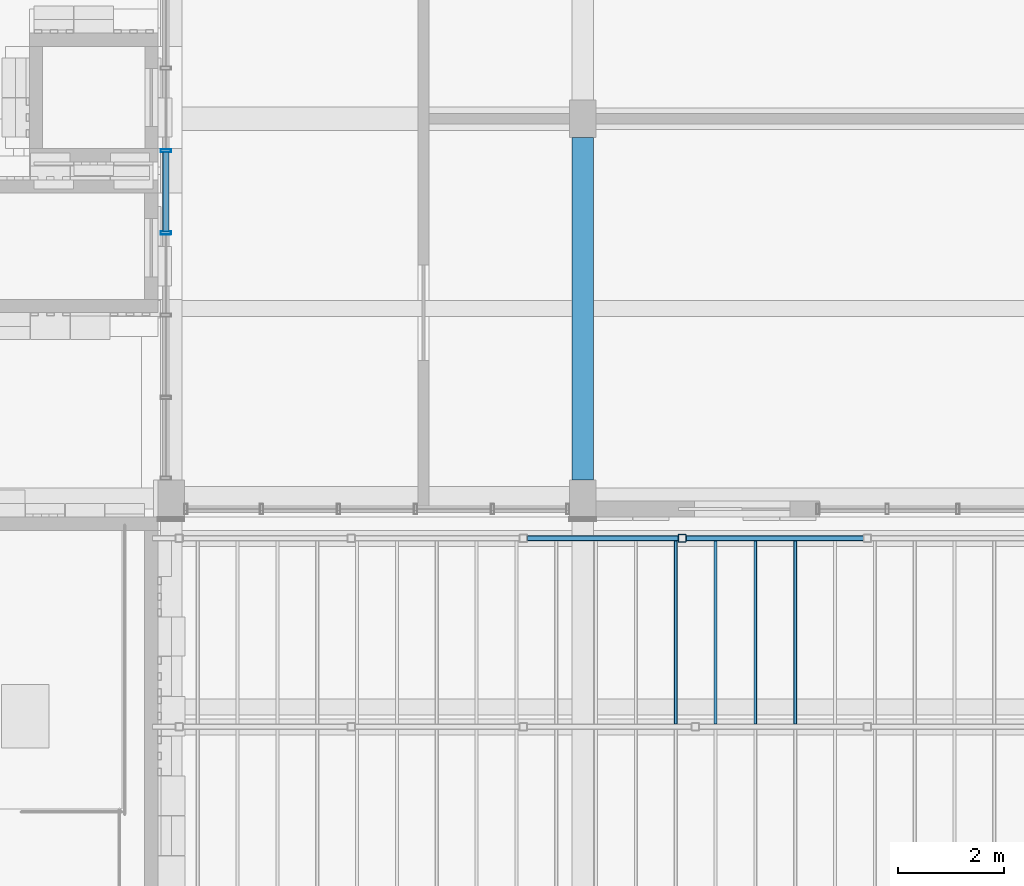
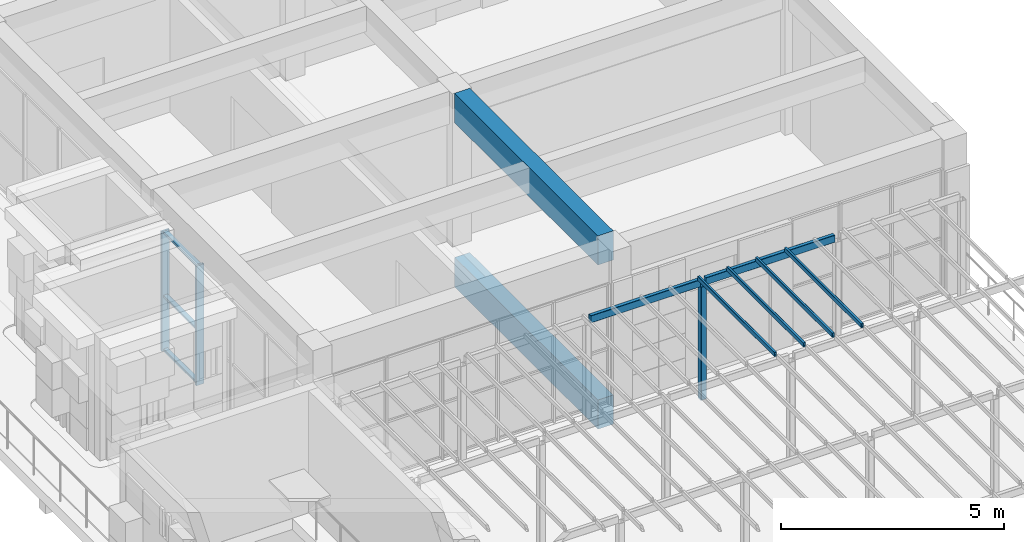
# One storey, part 5 of 26: 10 members, 4 beams, 1 element without a shape of its own.
"""IFC4 building model written with IfcOpenShell, lengths in metres."""

from ifc_helpers import new_model, si_unit, direction, frame, origin, origin_2d, place, context, subcontext, project, spatial, rectangle, hollow_rectangle, extrude, material, material_profile, profile_set, type_object, element, aggregate, save


model = new_model("IFC4")

# Units and contexts
model_context = context("Model", 3, precision=1e-05, world=origin(), true_north=direction((0.0, 1.0)))
body_context = subcontext(model_context, "Body", "Model", "MODEL_VIEW")
ifc_project = project(units=[si_unit("LENGTHUNIT", "METRE"), si_unit("AREAUNIT", "SQUARE_METRE"), si_unit("VOLUMEUNIT", "CUBIC_METRE"), si_unit("PLANEANGLEUNIT", "RADIAN"), si_unit("MASSUNIT", "GRAM", prefix="KILO")], contexts=[model_context])

# Site, building, storey
site_placement = place(None, origin())
site = spatial("IfcSite", under=ifc_project, at=site_placement, CompositionType="ELEMENT")
building_placement = place(site_placement, origin())
building = spatial("IfcBuilding", under=site, at=building_placement, Name="Sun Court Science Centre", CompositionType="ELEMENT")
storey_placement = place(building_placement, frame((0.0, 0.0, 29.25)))
storey = spatial("IfcBuildingStorey", under=building, at=storey_placement, Name="L06", CompositionType="ELEMENT", Elevation=29.25)

# Curtain wall, members
ifc_material_1 = material(Name="Aluminium EN AW-6063 T6", Category="aluminium")
curtain_wall_type = type_object("IfcCurtainWallType", Name="Laboratory tall bay curtain wall 1500", PredefinedType="NOTDEFINED", material=ifc_material_1)
curtain_wall_placement = place(storey_placement, origin())
curtain_wall = element("IfcCurtainWall", 1, at=curtain_wall_placement, inside=storey, type_object=curtain_wall_type, Name="Curtain wall V4 PW L06 01", PredefinedType="NOTDEFINED")
ifc_material_2 = material(Name="Aluminium EN AW-6063 T6", Category="aluminium")
ifc_material_profile_1 = material_profile(ifc_material_2, hollow_rectangle(XDim=0.06005859375, YDim=0.199951171875, WallThickness=0.0048828125, InnerFilletRadius=0.0048828125, OuterFilletRadius=0.007568359375, at=origin_2d()), Name="AL 60x200x5")
ifc_profile_set_1 = profile_set([ifc_material_profile_1], Name="Aluminium EN AW-6063 T6")
member_type_1 = type_object("IfcMemberType", Name="Curtain wall mullion AL 60x200", PredefinedType="MULLION", material=ifc_profile_set_1)
member_1_placement = place(storey_placement, frame((87.14990234375, 48.85009765625, 0.0), z_axis=(0.0, 0.0, 1.0), x_axis=(0.0, 1.0, 0.0)))
member_1 = element("IfcMember", 2, at=member_1_placement, type_object=member_type_1, Name="CW2-78 mullion 4", PredefinedType="MULLION", context=body_context, shape_type="SweptSolid", body=[
    extrude(hollow_rectangle(XDim=0.06005859375, YDim=0.199951171875, WallThickness=0.0048828125, InnerFilletRadius=0.0048828125, OuterFilletRadius=0.007568359375, at=origin_2d()), origin(), (0.0, 0.0, 1.0), 3.280029296875),
])
member_2_placement = place(storey_placement, frame((87.14990234375, 50.39990234375, 0.0), z_axis=(0.0, 0.0, 1.0), x_axis=(0.0, 1.0, 0.0)))
member_2 = element("IfcMember", 3, at=member_2_placement, type_object=member_type_1, Name="CW2-78 mullion 5", PredefinedType="MULLION", context=body_context, shape_type="SweptSolid", body=[
    extrude(hollow_rectangle(XDim=0.06005859375, YDim=0.199951171875, WallThickness=0.0048828125, InnerFilletRadius=0.0048828125, OuterFilletRadius=0.007568359375, at=origin_2d()), origin(), (0.0, 0.0, 1.0), 3.280029296875),
])
ifc_material_3 = material(Name="Aluminium EN AW-6063 T6", Category="aluminium")
ifc_material_profile_2 = material_profile(ifc_material_3, hollow_rectangle(XDim=0.06005859375, YDim=0.1201171875, WallThickness=0.00390625, InnerFilletRadius=0.00390625, OuterFilletRadius=0.006103515625, at=origin_2d()), Name="AL 60x120x4")
ifc_profile_set_2 = profile_set([ifc_material_profile_2], Name="Aluminium EN AW-6063 T6")
member_type_2 = type_object("IfcMemberType", Name="Curtain wall transom AL 60x120", PredefinedType="USERDEFINED", material=ifc_profile_set_2)
member_3_placement = place(storey_placement, frame((87.14990234375, 48.8798828125, 0.030029296875), z_axis=(0.0, 1.0, 0.0), x_axis=(0.0, 0.0, 1.0)))
member_3 = element("IfcMember", 4, at=member_3_placement, type_object=member_type_2, Name="CW2-78 transom 4.1", ObjectType="TRANSOM", PredefinedType="USERDEFINED", context=body_context, shape_type="SweptSolid", body=[
    extrude(hollow_rectangle(XDim=0.06005859375, YDim=0.1201171875, WallThickness=0.00390625, InnerFilletRadius=0.00390625, OuterFilletRadius=0.006103515625, at=origin_2d()), origin(), (0.0, 0.0, 1.0), 1.490234375),
])
member_4_placement = place(storey_placement, frame((87.14990234375, 48.8798828125, 1.5), z_axis=(0.0, 1.0, 0.0), x_axis=(0.0, 0.0, 1.0)))
member_4 = element("IfcMember", 5, at=member_4_placement, type_object=member_type_2, Name="CW2-78 transom 4.2", ObjectType="TRANSOM", PredefinedType="USERDEFINED", context=body_context, shape_type="SweptSolid", body=[
    extrude(hollow_rectangle(XDim=0.06005859375, YDim=0.1201171875, WallThickness=0.00390625, InnerFilletRadius=0.00390625, OuterFilletRadius=0.006103515625, at=origin_2d()), origin(), (0.0, 0.0, 1.0), 1.490234375),
])
member_5_placement = place(storey_placement, frame((87.14990234375, 48.8798828125, 3.25), z_axis=(0.0, 1.0, 0.0), x_axis=(0.0, 0.0, 1.0)))
member_5 = element("IfcMember", 6, at=member_5_placement, type_object=member_type_2, Name="CW2-78 transom 4.3", ObjectType="TRANSOM", PredefinedType="USERDEFINED", context=body_context, shape_type="SweptSolid", body=[
    extrude(hollow_rectangle(XDim=0.06005859375, YDim=0.1201171875, WallThickness=0.00390625, InnerFilletRadius=0.00390625, OuterFilletRadius=0.006103515625, at=origin_2d()), origin(), (0.0, 0.0, 1.0), 1.490234375),
])
aggregate(curtain_wall, [member_1, member_2, member_3, member_4, member_5])

# Members
ifc_material_4 = material(Name="Steel S275", Category="steel")
ifc_material_profile_3 = material_profile(ifc_material_4, hollow_rectangle(XDim=0.14990234375, YDim=0.14990234375, WallThickness=0.008056640625, InnerFilletRadius=0.008056640625, OuterFilletRadius=0.011962890625, at=origin_2d()), Name="SHS 150x150x8")
ifc_profile_set_3 = profile_set([ifc_material_profile_3], Name="Steel S275")
member_type_3 = type_object("IfcMemberType", Name="Pergola post SHS 150x150x8", PredefinedType="POST", material=ifc_profile_set_3)
member_6_placement = place(storey_placement, frame((96.8701171875, 43.10009765625, -0.300048828125), z_axis=(0.0, 0.0, 1.0), x_axis=(1.0, 0.0, 0.0)))
element("IfcMember", 7, at=member_6_placement, inside=storey, type_object=member_type_3, Name="Pergola post 4.5", PredefinedType="POST", context=body_context, shape_type="SweptSolid", body=[
    extrude(hollow_rectangle(XDim=0.14990234375, YDim=0.14990234375, WallThickness=0.008056640625, InnerFilletRadius=0.008056640625, OuterFilletRadius=0.011962890625, at=origin_2d()), origin(), (0.0, 0.0, 1.0), 3.10009765625),
])
ifc_material_5 = material(Name="Steel S275", Category="steel")
ifc_material_profile_4 = material_profile(ifc_material_5, hollow_rectangle(XDim=0.06005859375, YDim=0.1201171875, WallThickness=0.0048828125, InnerFilletRadius=0.0048828125, OuterFilletRadius=0.007568359375, at=origin_2d()), Name="RHS 120x60x5")
ifc_profile_set_4 = profile_set([ifc_material_profile_4], Name="Steel S275")
member_type_4 = type_object("IfcMemberType", Name="Pergola rafter RHS 120x60x5", PredefinedType="RAFTER", material=ifc_profile_set_4)
for number, where, z_axis, x_axis, name in (
    (8, (96.75, 39.60009765625, 3.06005859375), (0.0, 1.0, 0.0), (-1.0, 0.0, 0.0), "Pergola rafter"),
    (9, (97.5, 39.60009765625, 3.06005859375), (0.0, 1.0, 0.0), (-1.0, 0.0, 0.0), "Pergola rafter"),
    (10, (98.25, 39.60009765625, 3.06005859375), (0.0, 1.0, 0.0), (-1.0, 0.0, 0.0), "Pergola rafter"),
    (11, (99.0, 39.60009765625, 3.06005859375), (0.0, 1.0, 0.0), (-1.0, 0.0, 0.0), "Pergola rafter"),
):
    element("IfcMember", number, at=place(storey_placement, frame(where, z_axis=z_axis, x_axis=x_axis)), inside=storey, type_object=member_type_4, Name=name, PredefinedType="RAFTER", context=body_context, shape_type="SweptSolid", body=[
        extrude(hollow_rectangle(XDim=0.06005859375, YDim=0.1201171875, WallThickness=0.0048828125, InnerFilletRadius=0.0048828125, OuterFilletRadius=0.007568359375, at=origin_2d()), origin(), (0.0, 0.0, 1.0), 3.449951171875),
    ])

# Beams
ifc_material_6 = material(Name="Concrete C25/30", Category="concrete")
ifc_material_profile_5 = material_profile(ifc_material_6, rectangle(XDim=0.39990234375, YDim=0.800048828125, at=origin_2d()), Name="RC 400x800")
ifc_profile_set_5 = profile_set([ifc_material_profile_5], Name="Concrete C25/30")
beam_type_1 = type_object("IfcBeamType", Name="RC girder 400x800", PredefinedType="BEAM", material=ifc_profile_set_5)
for number, where, z_axis, x_axis, name in (
    (12, (95.0, 44.199951171875, -0.699951171875), (0.0, 1.0, 0.0), (-1.0, 0.0, 0.0), "Girder L06 line 2"),
    (13, (95.0, 44.199951171875, 3.800048828125), (0.0, 1.0, 0.0), (-1.0, 0.0, 0.0), "Girder L06P line 2"),
):
    element("IfcBeam", number, at=place(storey_placement, frame(where, z_axis=z_axis, x_axis=x_axis)), inside=storey, type_object=beam_type_1, Name=name, PredefinedType="BEAM", context=body_context, shape_type="SweptSolid", body=[
        extrude(rectangle(XDim=0.39990234375, YDim=0.800048828125, at=origin_2d()), origin(), (0.0, 0.0, 1.0), 6.449951171875),
    ])
ifc_material_7 = material(Name="Steel S275", Category="steel")
ifc_material_profile_6 = material_profile(ifc_material_7, hollow_rectangle(XDim=0.10009765625, YDim=0.199951171875, WallThickness=0.008056640625, InnerFilletRadius=0.008056640625, OuterFilletRadius=0.011962890625, at=origin_2d()), Name="RHS 200x100x8")
ifc_profile_set_6 = profile_set([ifc_material_profile_6], Name="Steel S275")
beam_type_2 = type_object("IfcBeamType", Name="Steel beam RHS 200x100x8", PredefinedType="BEAM", material=ifc_profile_set_6)
beam_1_placement = place(storey_placement, frame((93.955078125, 43.10009765625, 2.89990234375), z_axis=(1.0, 0.0, 0.0), x_axis=(0.0, 1.0, 0.0)))
element("IfcBeam", 14, at=beam_1_placement, inside=storey, type_object=beam_type_2, Name="Pergola beam 5", PredefinedType="BEAM", context=body_context, shape_type="SweptSolid", body=[
    extrude(hollow_rectangle(XDim=0.10009765625, YDim=0.199951171875, WallThickness=0.008056640625, InnerFilletRadius=0.008056640625, OuterFilletRadius=0.011962890625, at=origin_2d()), origin(), (0.0, 0.0, 1.0), 2.83984375),
])
beam_2_placement = place(storey_placement, frame((96.945068359375, 43.10009765625, 2.89990234375), z_axis=(1.0, 0.0, 0.0), x_axis=(0.0, 1.0, 0.0)))
element("IfcBeam", 15, at=beam_2_placement, inside=storey, type_object=beam_type_2, Name="Pergola beam 5", PredefinedType="BEAM", context=body_context, shape_type="SweptSolid", body=[
    extrude(hollow_rectangle(XDim=0.10009765625, YDim=0.199951171875, WallThickness=0.008056640625, InnerFilletRadius=0.008056640625, OuterFilletRadius=0.011962890625, at=origin_2d()), origin(), (0.0, 0.0, 1.0), 3.33984375),
])

save(model, "model.ifc")
